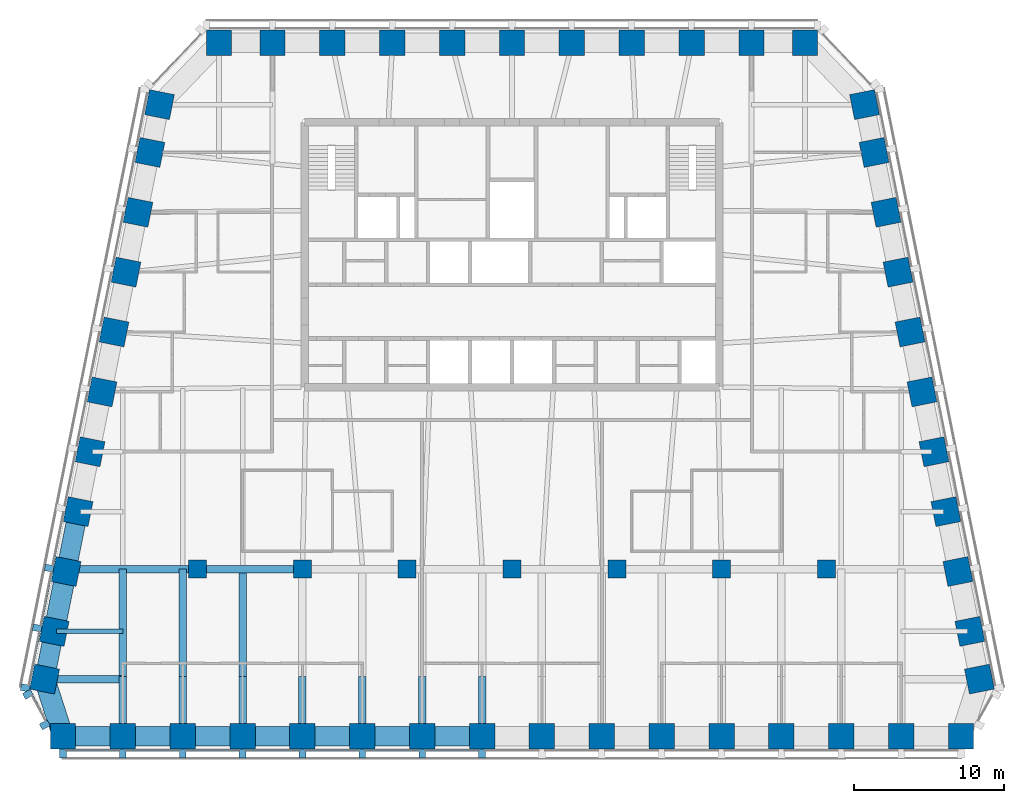
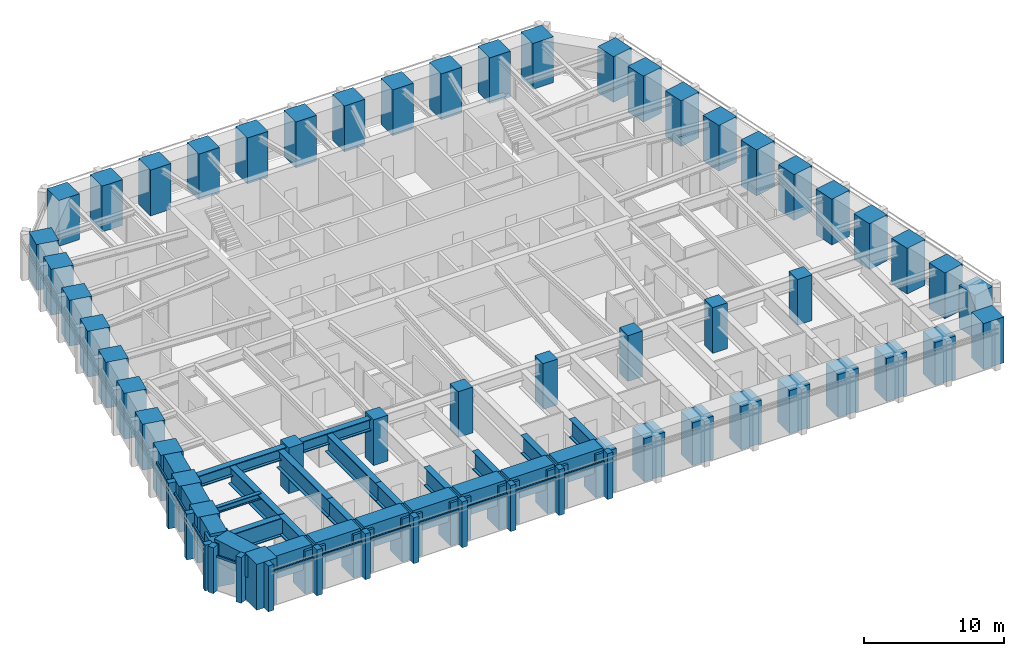
# One storey, part 1 of 12: 56 columns, 25 beams, 24 members, 3 elements without a shape of their own.
"""IFC4 building model written with IfcOpenShell, lengths in metres."""

from ifc_helpers import new_model, si_unit, direction, frame, origin, origin_2d, place, context, subcontext, project, spatial, rectangle, i_section, extrude, material, material_profile, profile_set, type_object, element, aggregate, save


model = new_model("IFC4")

# Units and contexts
model_context = context("Model", 3, precision=1e-05, world=origin(), true_north=direction((0.0, 1.0)))
body_context = subcontext(model_context, "Body", "Model", "MODEL_VIEW")
ifc_project = project(units=[si_unit("LENGTHUNIT", "METRE"), si_unit("AREAUNIT", "SQUARE_METRE"), si_unit("VOLUMEUNIT", "CUBIC_METRE"), si_unit("PLANEANGLEUNIT", "RADIAN"), si_unit("MASSUNIT", "GRAM", prefix="KILO")], contexts=[model_context])

# Site, building, storey
site_placement = place(None, origin())
site = spatial("IfcSite", under=ifc_project, at=site_placement, CompositionType="ELEMENT")
building_placement = place(site_placement, origin())
building = spatial("IfcBuilding", under=site, at=building_placement, Name="Isbrekke Arena Tower", CompositionType="ELEMENT")
storey_placement = place(building_placement, frame((0.0, 0.0, 256.0)))
storey = spatial("IfcBuildingStorey", under=building, at=storey_placement, Name="L59", CompositionType="ELEMENT", Elevation=256.0)

# Columns
ifc_material_1 = material(Name="Concrete B55 (C55/67)", Category="concrete")
ifc_material_profile_1 = material_profile(ifc_material_1, rectangle(XDim=1.199951171875, YDim=1.199951171875, at=origin_2d()), Name="RC 1200x1200")
ifc_profile_set_1 = profile_set([ifc_material_profile_1], Name="Concrete B55 (C55/67)")
column_type_1 = type_object("IfcColumnType", Name="C14 RC 1200 x 1200", PredefinedType="COLUMN", material=ifc_profile_set_1)
for number, where, z_axis, x_axis, name in (
    (1, (-21.0, -6.0, 0.0), (0.0, 0.0, 1.0), (1.0, 0.0, 0.0), "C14 I01"),
    (2, (-14.0, -6.0, 0.0), (0.0, 0.0, 1.0), (1.0, 0.0, 0.0), "C14 I02"),
    (3, (-7.0, -6.0, 0.0), (0.0, 0.0, 1.0), (1.0, 0.0, 0.0), "C14 I03"),
    (4, (0.0, -6.0, 0.0), (0.0, 0.0, 1.0), (1.0, 0.0, 0.0), "C14 I04"),
    (5, (7.0, -6.0, 0.0), (0.0, 0.0, 1.0), (1.0, 0.0, 0.0), "C14 I05"),
    (6, (14.0, -6.0, 0.0), (0.0, 0.0, 1.0), (1.0, 0.0, 0.0), "C14 I06"),
    (7, (21.0, -6.0, 0.0), (0.0, 0.0, 1.0), (1.0, 0.0, 0.0), "C14 I07"),
):
    element("IfcColumn", number, at=place(storey_placement, frame(where, z_axis=z_axis, x_axis=x_axis)), inside=storey, type_object=column_type_1, Name=name, PredefinedType="COLUMN", context=body_context, shape_type="SweptSolid", body=[
        extrude(rectangle(XDim=1.199951171875, YDim=1.199951171875, at=origin_2d()), origin(), (0.0, 0.0, 1.0), 4.0),
    ])
ifc_material_2 = material(Name="Concrete B55 (C55/67)", Category="concrete")
ifc_material_profile_2 = material_profile(ifc_material_2, rectangle(XDim=1.699951171875, YDim=1.699951171875, at=origin_2d()), Name="RC 1700x1700")
ifc_profile_set_2 = profile_set([ifc_material_profile_2], Name="Concrete B55 (C55/67)")
column_type_2 = type_object("IfcColumnType", Name="C5 RC 1700 x 1700", PredefinedType="COLUMN", material=ifc_profile_set_2)
column_1_placement = place(storey_placement, frame((-30.0, -17.175048828125, 0.0), z_axis=(0.0, 0.0, 1.0), x_axis=(1.0, 0.0, 0.0)))
element("IfcColumn", 8, at=column_1_placement, inside=storey, type_object=column_type_2, Name="C5 S01", PredefinedType="COLUMN", context=body_context, shape_type="SweptSolid", body=[
    extrude(rectangle(XDim=1.699951171875, YDim=1.699951171875, at=origin_2d()), origin(), (0.0, 0.0, 1.0), 4.0),
])
for number, where, z_axis, x_axis, name in (
    (9, (-26.0, -17.175048828125, 0.0), (0.0, 0.0, 1.0), (1.0, 0.0, 0.0), "C5 S02"),
    (10, (-22.0, -17.175048828125, 0.0), (0.0, 0.0, 1.0), (1.0, 0.0, 0.0), "C5 S03"),
    (11, (-18.0, -17.175048828125, 0.0), (0.0, 0.0, 1.0), (1.0, 0.0, 0.0), "C5 S04"),
    (12, (-14.0, -17.175048828125, 0.0), (0.0, 0.0, 1.0), (1.0, 0.0, 0.0), "C5 S05"),
    (13, (-10.0, -17.175048828125, 0.0), (0.0, 0.0, 1.0), (1.0, 0.0, 0.0), "C5 S06"),
    (14, (-6.0, -17.175048828125, 0.0), (0.0, 0.0, 1.0), (1.0, 0.0, 0.0), "C5 S07"),
    (15, (-2.0, -17.175048828125, 0.0), (0.0, 0.0, 1.0), (1.0, 0.0, 0.0), "C5 S08"),
    (16, (2.0, -17.175048828125, 0.0), (0.0, 0.0, 1.0), (1.0, 0.0, 0.0), "C5 S09"),
    (17, (6.0, -17.175048828125, 0.0), (0.0, 0.0, 1.0), (1.0, 0.0, 0.0), "C5 S10"),
    (18, (10.0, -17.175048828125, 0.0), (0.0, 0.0, 1.0), (1.0, 0.0, 0.0), "C5 S11"),
    (19, (14.0, -17.175048828125, 0.0), (0.0, 0.0, 1.0), (1.0, 0.0, 0.0), "C5 S12"),
    (20, (18.0, -17.175048828125, 0.0), (0.0, 0.0, 1.0), (1.0, 0.0, 0.0), "C5 S13"),
    (21, (22.0, -17.175048828125, 0.0), (0.0, 0.0, 1.0), (1.0, 0.0, 0.0), "C5 S14"),
    (22, (26.0, -17.175048828125, 0.0), (0.0, 0.0, 1.0), (1.0, 0.0, 0.0), "C5 S15"),
):
    element("IfcColumn", number, at=place(storey_placement, frame(where, z_axis=z_axis, x_axis=x_axis)), inside=storey, type_object=column_type_2, Name=name, PredefinedType="COLUMN", context=body_context, shape_type="SweptSolid", body=[
        extrude(rectangle(XDim=1.699951171875, YDim=1.699951171875, at=origin_2d()), origin(), (0.0, 0.0, 1.0), 3.75),
    ])
column_2_placement = place(storey_placement, frame((30.0, -17.175048828125, 0.0), z_axis=(0.0, 0.0, 1.0), x_axis=(1.0, 0.0, 0.0)))
element("IfcColumn", 23, at=column_2_placement, inside=storey, type_object=column_type_2, Name="C5 S16", PredefinedType="COLUMN", context=body_context, shape_type="SweptSolid", body=[
    extrude(rectangle(XDim=1.699951171875, YDim=1.699951171875, at=origin_2d()), origin(), (0.0, 0.0, 1.0), 4.0),
])
column_3_placement = place(storey_placement, frame((31.229248046875, -13.352783203125, 0.0), z_axis=(0.0, 0.0, 1.0), x_axis=(-0.196116135138, 0.980580675691, 0.0)))
element("IfcColumn", 24, at=column_3_placement, inside=storey, type_object=column_type_2, Name="C5 E01", PredefinedType="COLUMN", context=body_context, shape_type="SweptSolid", body=[
    extrude(rectangle(XDim=1.699951171875, YDim=1.699951171875, at=origin_2d()), origin(), (0.0, 0.0, 1.0), 3.75),
])
for number, where, z_axis, x_axis, name in (
    (25, (30.591064453125, -10.161865234375, 0.0), (0.0, 0.0, 1.0), (-0.196116135138, 0.980580675691, 0.0), "C5 E02"),
    (26, (29.791015625, -6.161865234375, 0.0), (0.0, 0.0, 1.0), (-0.196116135138, 0.980580675691, 0.0), "C5 E03"),
    (27, (28.990966796875, -2.161865234375, 0.0), (0.0, 0.0, 1.0), (-0.196116135138, 0.980580675691, 0.0), "C5 E04"),
    (28, (28.19091796875, 1.838134765625, 0.0), (0.0, 0.0, 1.0), (-0.196116135138, 0.980580675691, 0.0), "C5 E05"),
    (29, (27.39111328125, 5.838134765625, 0.0), (0.0, 0.0, 1.0), (-0.196116135138, 0.980580675691, 0.0), "C5 E06"),
    (30, (26.591064453125, 9.838134765625, 0.0), (0.0, 0.0, 1.0), (-0.196116135138, 0.980580675691, 0.0), "C5 E07"),
    (31, (25.791015625, 13.838134765625, 0.0), (0.0, 0.0, 1.0), (-0.196116135138, 0.980580675691, 0.0), "C5 E08"),
    (32, (24.990966796875, 17.838134765625, 0.0), (0.0, 0.0, 1.0), (-0.196116135138, 0.980580675691, 0.0), "C5 E09"),
    (33, (24.19091796875, 21.838134765625, 0.0), (0.0, 0.0, 1.0), (-0.196116135138, 0.980580675691, 0.0), "C5 E10"),
    (34, (23.552734375, 25.029296875, 0.0), (0.0, 0.0, 1.0), (-0.196116135138, 0.980580675691, 0.0), "C5 E11"),
    (35, (19.574951171875, 29.175048828125, 0.0), (0.0, 0.0, 1.0), (-1.0, 0.0, 0.0), "C5 N01"),
    (36, (16.0, 29.175048828125, 0.0), (0.0, 0.0, 1.0), (-1.0, 0.0, 0.0), "C5 N02"),
    (37, (12.0, 29.175048828125, 0.0), (0.0, 0.0, 1.0), (-1.0, 0.0, 0.0), "C5 N03"),
    (38, (8.0, 29.175048828125, 0.0), (0.0, 0.0, 1.0), (-1.0, 0.0, 0.0), "C5 N04"),
    (39, (4.0, 29.175048828125, 0.0), (0.0, 0.0, 1.0), (-1.0, 0.0, 0.0), "C5 N05"),
    (40, (0.0, 29.175048828125, 0.0), (0.0, 0.0, 1.0), (-1.0, 0.0, 0.0), "C5 N06"),
    (41, (-4.0, 29.175048828125, 0.0), (0.0, 0.0, 1.0), (-1.0, 0.0, 0.0), "C5 N07"),
    (42, (-8.0, 29.175048828125, 0.0), (0.0, 0.0, 1.0), (-1.0, 0.0, 0.0), "C5 N08"),
    (43, (-12.0, 29.175048828125, 0.0), (0.0, 0.0, 1.0), (-1.0, 0.0, 0.0), "C5 N09"),
    (44, (-16.0, 29.175048828125, 0.0), (0.0, 0.0, 1.0), (-1.0, 0.0, 0.0), "C5 N10"),
    (45, (-19.574951171875, 29.175048828125, 0.0), (0.0, 0.0, 1.0), (-1.0, 0.0, 0.0), "C5 N11"),
    (46, (-23.552734375, 25.029296875, 0.0), (0.0, 0.0, 1.0), (-0.196116135138, -0.980580675691, 0.0), "C5 W01"),
    (47, (-24.19091796875, 21.838134765625, 0.0), (0.0, 0.0, 1.0), (-0.196116135138, -0.980580675691, 0.0), "C5 W02"),
    (48, (-24.990966796875, 17.838134765625, 0.0), (0.0, 0.0, 1.0), (-0.196116135138, -0.980580675691, 0.0), "C5 W03"),
    (49, (-25.791015625, 13.838134765625, 0.0), (0.0, 0.0, 1.0), (-0.196116135138, -0.980580675691, 0.0), "C5 W04"),
    (50, (-26.591064453125, 9.838134765625, 0.0), (0.0, 0.0, 1.0), (-0.196116135138, -0.980580675691, 0.0), "C5 W05"),
    (51, (-27.39111328125, 5.838134765625, 0.0), (0.0, 0.0, 1.0), (-0.196116135138, -0.980580675691, 0.0), "C5 W06"),
    (52, (-28.19091796875, 1.838134765625, 0.0), (0.0, 0.0, 1.0), (-0.196116135138, -0.980580675691, 0.0), "C5 W07"),
    (53, (-28.990966796875, -2.161865234375, 0.0), (0.0, 0.0, 1.0), (-0.196116135138, -0.980580675691, 0.0), "C5 W08"),
    (54, (-29.791015625, -6.161865234375, 0.0), (0.0, 0.0, 1.0), (-0.196116135138, -0.980580675691, 0.0), "C5 W09"),
    (55, (-30.591064453125, -10.161865234375, 0.0), (0.0, 0.0, 1.0), (-0.196116135138, -0.980580675691, 0.0), "C5 W10"),
):
    element("IfcColumn", number, at=place(storey_placement, frame(where, z_axis=z_axis, x_axis=x_axis)), inside=storey, type_object=column_type_2, Name=name, PredefinedType="COLUMN", context=body_context, shape_type="SweptSolid", body=[
        extrude(rectangle(XDim=1.699951171875, YDim=1.699951171875, at=origin_2d()), origin(), (0.0, 0.0, 1.0), 4.0),
    ])
column_4_placement = place(storey_placement, frame((-31.229248046875, -13.352783203125, 0.0), z_axis=(0.0, 0.0, 1.0), x_axis=(-0.196116135138, -0.980580675691, 0.0)))
element("IfcColumn", 56, at=column_4_placement, inside=storey, type_object=column_type_2, Name="C5 W11", PredefinedType="COLUMN", context=body_context, shape_type="SweptSolid", body=[
    extrude(rectangle(XDim=1.699951171875, YDim=1.699951171875, at=origin_2d()), origin(), (0.0, 0.0, 1.0), 3.75),
])

# Beam
ifc_material_3 = material(Name="Steel S355", Category="steel")
ifc_material_profile_3 = material_profile(ifc_material_3, i_section(OverallWidth=0.305908203125, OverallDepth=0.52392578125, WebThickness=0.02099609375, FlangeThickness=0.0400390625, FilletRadius=0.027099609375, at=origin_2d()), Name="HEM 500")
ifc_profile_set_3 = profile_set([ifc_material_profile_3], Name="Steel S355")
beam_type_1 = type_object("IfcBeamType", Name="B5 HEM 500", PredefinedType="BEAM", material=ifc_profile_set_3)
beam_1_placement = place(storey_placement, frame((-30.44091796875, -10.161865234375, 3.587890625), z_axis=(1.0, 0.0, 0.0), x_axis=(0.0, 1.0, 0.0)))
element("IfcBeam", 57, at=beam_1_placement, inside=storey, type_object=beam_type_1, Name="B5 beam E-W10 L59", PredefinedType="BEAM", context=body_context, shape_type="SweptSolid", body=[
    extrude(i_section(OverallWidth=0.305908203125, OverallDepth=0.52392578125, WebThickness=0.02099609375, FlangeThickness=0.0400390625, FilletRadius=0.027099609375, at=origin_2d()), origin(), (0.0, 0.0, 1.0), 4.44091796875),
])

# Curtain wall, members
ifc_material_4 = material(Name="Glazed aluminium curtain wall", Category="aluminium")
curtain_wall_type = type_object("IfcCurtainWallType", Name="CWT TOWER CURTAIN WALL TOP ZONE", PredefinedType="USERDEFINED", material=ifc_material_4)
curtain_wall_1_placement = place(storey_placement, origin())
curtain_wall_1 = element("IfcCurtainWall", 58, at=curtain_wall_1_placement, inside=storey, type_object=curtain_wall_type, Name="CWT curtain wall L59-S", ObjectType="TOWER CURTAIN WALL TOP ZONE", PredefinedType="USERDEFINED")
ifc_material_5 = material(Name="Copper-clad aluminium mullion", Category="aluminium")
ifc_material_profile_4 = material_profile(ifc_material_5, rectangle(XDim=0.449951171875, YDim=0.60009765625, at=origin_2d()), Name="PIER 450X600")
ifc_profile_set_4 = profile_set([ifc_material_profile_4], Name="Copper-clad aluminium mullion")
member_type_1 = type_object("IfcMemberType", Name="CWT-M PIER MULLION 450 x 600", PredefinedType="MULLION", material=ifc_profile_set_4)
member_1_placement = place(storey_placement, frame((-30.0, -18.324951171875, 0.0), z_axis=(0.0, 0.0, 1.0), x_axis=(1.0, 0.0, 0.0)))
member_1 = element("IfcMember", 59, at=member_1_placement, type_object=member_type_1, Name="CWT-M mullion 1", PredefinedType="MULLION", context=body_context, shape_type="SweptSolid", body=[
    extrude(rectangle(XDim=0.449951171875, YDim=0.60009765625, at=origin_2d()), origin(), (0.0, 0.0, 1.0), 4.0),
])
member_2_placement = place(storey_placement, frame((-26.0, -18.324951171875, 0.0), z_axis=(0.0, 0.0, 1.0), x_axis=(1.0, 0.0, 0.0)))
member_2 = element("IfcMember", 60, at=member_2_placement, type_object=member_type_1, Name="CWT-M mullion 2", PredefinedType="MULLION", context=body_context, shape_type="SweptSolid", body=[
    extrude(rectangle(XDim=0.449951171875, YDim=0.60009765625, at=origin_2d()), origin(), (0.0, 0.0, 1.0), 4.0),
])
member_3_placement = place(storey_placement, frame((-22.0, -18.324951171875, 0.0), z_axis=(0.0, 0.0, 1.0), x_axis=(1.0, 0.0, 0.0)))
member_3 = element("IfcMember", 61, at=member_3_placement, type_object=member_type_1, Name="CWT-M mullion 3", PredefinedType="MULLION", context=body_context, shape_type="SweptSolid", body=[
    extrude(rectangle(XDim=0.449951171875, YDim=0.60009765625, at=origin_2d()), origin(), (0.0, 0.0, 1.0), 4.0),
])
member_4_placement = place(storey_placement, frame((-18.0, -18.324951171875, 0.0), z_axis=(0.0, 0.0, 1.0), x_axis=(1.0, 0.0, 0.0)))
member_4 = element("IfcMember", 62, at=member_4_placement, type_object=member_type_1, Name="CWT-M mullion 4", PredefinedType="MULLION", context=body_context, shape_type="SweptSolid", body=[
    extrude(rectangle(XDim=0.449951171875, YDim=0.60009765625, at=origin_2d()), origin(), (0.0, 0.0, 1.0), 4.0),
])
member_5_placement = place(storey_placement, frame((-14.0, -18.324951171875, 0.0), z_axis=(0.0, 0.0, 1.0), x_axis=(1.0, 0.0, 0.0)))
member_5 = element("IfcMember", 63, at=member_5_placement, type_object=member_type_1, Name="CWT-M mullion 5", PredefinedType="MULLION", context=body_context, shape_type="SweptSolid", body=[
    extrude(rectangle(XDim=0.449951171875, YDim=0.60009765625, at=origin_2d()), origin(), (0.0, 0.0, 1.0), 4.0),
])
member_6_placement = place(storey_placement, frame((-10.0, -18.324951171875, 0.0), z_axis=(0.0, 0.0, 1.0), x_axis=(1.0, 0.0, 0.0)))
member_6 = element("IfcMember", 64, at=member_6_placement, type_object=member_type_1, Name="CWT-M mullion 6", PredefinedType="MULLION", context=body_context, shape_type="SweptSolid", body=[
    extrude(rectangle(XDim=0.449951171875, YDim=0.60009765625, at=origin_2d()), origin(), (0.0, 0.0, 1.0), 4.0),
])
member_7_placement = place(storey_placement, frame((-6.0, -18.324951171875, 0.0), z_axis=(0.0, 0.0, 1.0), x_axis=(1.0, 0.0, 0.0)))
member_7 = element("IfcMember", 65, at=member_7_placement, type_object=member_type_1, Name="CWT-M mullion 7", PredefinedType="MULLION", context=body_context, shape_type="SweptSolid", body=[
    extrude(rectangle(XDim=0.449951171875, YDim=0.60009765625, at=origin_2d()), origin(), (0.0, 0.0, 1.0), 4.0),
])
member_8_placement = place(storey_placement, frame((-2.0, -18.324951171875, 0.0), z_axis=(0.0, 0.0, 1.0), x_axis=(1.0, 0.0, 0.0)))
member_8 = element("IfcMember", 66, at=member_8_placement, type_object=member_type_1, Name="CWT-M mullion 8", PredefinedType="MULLION", context=body_context, shape_type="SweptSolid", body=[
    extrude(rectangle(XDim=0.449951171875, YDim=0.60009765625, at=origin_2d()), origin(), (0.0, 0.0, 1.0), 4.0),
])

curtain_wall_2_placement = place(storey_placement, origin())
curtain_wall_2 = element("IfcCurtainWall", 67, at=curtain_wall_2_placement, inside=storey, type_object=curtain_wall_type, Name="CWT curtain wall L59-W", ObjectType="TOWER CURTAIN WALL TOP ZONE", PredefinedType="USERDEFINED")
member_9_placement = place(storey_placement, frame((-30.918701171875, -5.936279296875, 0.0), z_axis=(0.0, 0.0, 1.0), x_axis=(-0.196116135138, -0.980580675691, 0.0)))
member_9 = element("IfcMember", 68, at=member_9_placement, type_object=member_type_1, Name="CWT-M mullion 9", PredefinedType="MULLION", context=body_context, shape_type="SweptSolid", body=[
    extrude(rectangle(XDim=0.449951171875, YDim=0.60009765625, at=origin_2d()), origin(), (0.0, 0.0, 1.0), 4.0),
])
member_10_placement = place(storey_placement, frame((-31.71875, -9.936279296875, 0.0), z_axis=(0.0, 0.0, 1.0), x_axis=(-0.196116135138, -0.980580675691, 0.0)))
member_10 = element("IfcMember", 69, at=member_10_placement, type_object=member_type_1, Name="CWT-M mullion 10", PredefinedType="MULLION", context=body_context, shape_type="SweptSolid", body=[
    extrude(rectangle(XDim=0.449951171875, YDim=0.60009765625, at=origin_2d()), origin(), (0.0, 0.0, 1.0), 4.0),
])
member_11_placement = place(storey_placement, frame((-32.518798828125, -13.936279296875, 0.0), z_axis=(0.0, 0.0, 1.0), x_axis=(-0.196116135138, -0.980580675691, 0.0)))
member_11 = element("IfcMember", 70, at=member_11_placement, type_object=member_type_1, Name="CWT-M mullion 11", PredefinedType="MULLION", context=body_context, shape_type="SweptSolid", body=[
    extrude(rectangle(XDim=0.449951171875, YDim=0.60009765625, at=origin_2d()), origin(), (0.0, 0.0, 1.0), 4.0),
])

curtain_wall_3_placement = place(storey_placement, origin())
curtain_wall_3 = element("IfcCurtainWall", 71, at=curtain_wall_3_placement, inside=storey, type_object=curtain_wall_type, Name="CWT curtain wall L59-WS", ObjectType="TOWER CURTAIN WALL TOP ZONE", PredefinedType="USERDEFINED")
member_12_placement = place(storey_placement, frame((-32.34033203125, -14.367431640625, 0.0), z_axis=(0.0, 0.0, 1.0), x_axis=(0.481918749773, -0.876215908676, 0.0)))
member_12 = element("IfcMember", 72, at=member_12_placement, type_object=member_type_1, Name="CWT-M mullion 1", PredefinedType="MULLION", context=body_context, shape_type="SweptSolid", body=[
    extrude(rectangle(XDim=0.449951171875, YDim=0.60009765625, at=origin_2d()), origin(), (0.0, 0.0, 1.0), 4.0),
])
member_13_placement = place(storey_placement, frame((-31.21826171875, -16.407470703125, 0.0), z_axis=(0.0, 0.0, 1.0), x_axis=(0.481918749773, -0.876215908676, 0.0)))
member_13 = element("IfcMember", 73, at=member_13_placement, type_object=member_type_1, Name="CWT-M mullion 2", PredefinedType="MULLION", context=body_context, shape_type="SweptSolid", body=[
    extrude(rectangle(XDim=0.449951171875, YDim=0.60009765625, at=origin_2d()), origin(), (0.0, 0.0, 1.0), 4.0),
])

# Member
ifc_material_6 = material(Name="Aluminium transom", Category="aluminium")
ifc_material_profile_5 = material_profile(ifc_material_6, rectangle(XDim=0.1201171875, YDim=0.199951171875, at=origin_2d()), Name="TRANSOM 120X200")
ifc_profile_set_5 = profile_set([ifc_material_profile_5], Name="Aluminium transom")
member_type_2 = type_object("IfcMemberType", Name="CWT-T TRANSOM 120 x 200", PredefinedType="USERDEFINED", material=ifc_profile_set_5)
member_14_placement = place(storey_placement, frame((-29.77490234375, -18.125, 3.0), z_axis=(1.0, 0.0, 0.0), x_axis=(0.0, 1.0, 0.0)))
member_14 = element("IfcMember", 74, at=member_14_placement, type_object=member_type_2, Name="CWT-T transom 1", ObjectType="TRANSOM", PredefinedType="USERDEFINED", context=body_context, shape_type="SweptSolid", body=[
    extrude(rectangle(XDim=0.1201171875, YDim=0.199951171875, at=origin_2d()), origin(), (0.0, 0.0, 1.0), 3.5498046875),
])

member_15_placement = place(storey_placement, frame((-25.77490234375, -18.125, 3.0), z_axis=(1.0, 0.0, 0.0), x_axis=(0.0, 1.0, 0.0)))
member_15 = element("IfcMember", 75, at=member_15_placement, type_object=member_type_2, Name="CWT-T transom 2", ObjectType="TRANSOM", PredefinedType="USERDEFINED", context=body_context, shape_type="SweptSolid", body=[
    extrude(rectangle(XDim=0.1201171875, YDim=0.199951171875, at=origin_2d()), origin(), (0.0, 0.0, 1.0), 3.5498046875),
])

member_16_placement = place(storey_placement, frame((-21.77490234375, -18.125, 3.0), z_axis=(1.0, 0.0, 0.0), x_axis=(0.0, 1.0, 0.0)))
member_16 = element("IfcMember", 76, at=member_16_placement, type_object=member_type_2, Name="CWT-T transom 3", ObjectType="TRANSOM", PredefinedType="USERDEFINED", context=body_context, shape_type="SweptSolid", body=[
    extrude(rectangle(XDim=0.1201171875, YDim=0.199951171875, at=origin_2d()), origin(), (0.0, 0.0, 1.0), 3.5498046875),
])

member_17_placement = place(storey_placement, frame((-17.77490234375, -18.125, 3.0), z_axis=(1.0, 0.0, 0.0), x_axis=(0.0, 1.0, 0.0)))
member_17 = element("IfcMember", 77, at=member_17_placement, type_object=member_type_2, Name="CWT-T transom 4", ObjectType="TRANSOM", PredefinedType="USERDEFINED", context=body_context, shape_type="SweptSolid", body=[
    extrude(rectangle(XDim=0.1201171875, YDim=0.199951171875, at=origin_2d()), origin(), (0.0, 0.0, 1.0), 3.5498046875),
])

member_18_placement = place(storey_placement, frame((-13.77490234375, -18.125, 3.0), z_axis=(1.0, 0.0, 0.0), x_axis=(0.0, 1.0, 0.0)))
member_18 = element("IfcMember", 78, at=member_18_placement, type_object=member_type_2, Name="CWT-T transom 5", ObjectType="TRANSOM", PredefinedType="USERDEFINED", context=body_context, shape_type="SweptSolid", body=[
    extrude(rectangle(XDim=0.1201171875, YDim=0.199951171875, at=origin_2d()), origin(), (0.0, 0.0, 1.0), 3.5498046875),
])

member_19_placement = place(storey_placement, frame((-9.77490234375, -18.125, 3.0), z_axis=(1.0, 0.0, 0.0), x_axis=(0.0, 1.0, 0.0)))
member_19 = element("IfcMember", 79, at=member_19_placement, type_object=member_type_2, Name="CWT-T transom 6", ObjectType="TRANSOM", PredefinedType="USERDEFINED", context=body_context, shape_type="SweptSolid", body=[
    extrude(rectangle(XDim=0.1201171875, YDim=0.199951171875, at=origin_2d()), origin(), (0.0, 0.0, 1.0), 3.5498046875),
])

member_20_placement = place(storey_placement, frame((-5.77490234375, -18.125, 3.0), z_axis=(1.0, 0.0, 0.0), x_axis=(0.0, 1.0, 0.0)))
member_20 = element("IfcMember", 80, at=member_20_placement, type_object=member_type_2, Name="CWT-T transom 7", ObjectType="TRANSOM", PredefinedType="USERDEFINED", context=body_context, shape_type="SweptSolid", body=[
    extrude(rectangle(XDim=0.1201171875, YDim=0.199951171875, at=origin_2d()), origin(), (0.0, 0.0, 1.0), 3.5498046875),
])

aggregate(curtain_wall_1, [member_1, member_2, member_3, member_4, member_5, member_6, member_7, member_8, member_14, member_15, member_16, member_17, member_18, member_19, member_20])

member_21_placement = place(storey_placement, frame((-29.966796875, -2.196044921875, 3.0), z_axis=(-0.196090262229, -0.980585849918, 0.0), x_axis=(0.980585849918, -0.196090262229, 0.0)))
member_21 = element("IfcMember", 81, at=member_21_placement, type_object=member_type_2, Name="CWT-T transom 8", ObjectType="TRANSOM", PredefinedType="USERDEFINED", context=body_context, shape_type="SweptSolid", body=[
    extrude(rectangle(XDim=0.1201171875, YDim=0.199951171875, at=origin_2d()), origin(), (0.0, 0.0, 1.0), 3.62939453125),
])

member_22_placement = place(storey_placement, frame((-30.7666015625, -6.196044921875, 3.0), z_axis=(-0.196154943734, -0.980572913173, 0.0), x_axis=(0.980572913173, -0.196154943734, 0.0)))
member_22 = element("IfcMember", 82, at=member_22_placement, type_object=member_type_2, Name="CWT-T transom 9", ObjectType="TRANSOM", PredefinedType="USERDEFINED", context=body_context, shape_type="SweptSolid", body=[
    extrude(rectangle(XDim=0.1201171875, YDim=0.199951171875, at=origin_2d()), origin(), (0.0, 0.0, 1.0), 3.62939453125),
])

member_23_placement = place(storey_placement, frame((-31.566650390625, -10.196044921875, 3.0), z_axis=(-0.196154943734, -0.980572913173, 0.0), x_axis=(0.980572913173, -0.196154943734, 0.0)))
member_23 = element("IfcMember", 83, at=member_23_placement, type_object=member_type_2, Name="CWT-T transom 10", ObjectType="TRANSOM", PredefinedType="USERDEFINED", context=body_context, shape_type="SweptSolid", body=[
    extrude(rectangle(XDim=0.1201171875, YDim=0.199951171875, at=origin_2d()), origin(), (0.0, 0.0, 1.0), 3.62939453125),
])

aggregate(curtain_wall_2, [member_9, member_10, member_11, member_21, member_22, member_23])

member_24_placement = place(storey_placement, frame((-32.056640625, -14.46826171875, 3.0), z_axis=(0.481918749772, -0.876215908677, 0.0), x_axis=(0.876215908677, 0.481918749772, 0.0)))
member_24 = element("IfcMember", 84, at=member_24_placement, type_object=member_type_2, Name="CWT-T transom 1", ObjectType="TRANSOM", PredefinedType="USERDEFINED", context=body_context, shape_type="SweptSolid", body=[
    extrude(rectangle(XDim=0.1201171875, YDim=0.199951171875, at=origin_2d()), origin(), (0.0, 0.0, 1.0), 1.8779296875),
])

aggregate(curtain_wall_3, [member_12, member_13, member_24])

# Beams
ifc_material_7 = material(Name="Steel S355", Category="steel")
ifc_material_profile_6 = material_profile(ifc_material_7, i_section(OverallWidth=0.5, OverallDepth=1.0, WebThickness=0.0400390625, FlangeThickness=0.06005859375, at=origin_2d()), Name="PG 1000x500")
ifc_profile_set_6 = profile_set([ifc_material_profile_6], Name="Steel S355")
beam_type_2 = type_object("IfcBeamType", Name="G4 PG 1000x500", PredefinedType="BEAM", material=ifc_profile_set_6)
beam_2_placement = place(storey_placement, frame((-29.791015625, -6.0, 3.35009765625), z_axis=(1.0, 0.0, 0.0), x_axis=(0.0, 1.0, 0.0)))
element("IfcBeam", 85, at=beam_2_placement, inside=storey, type_object=beam_type_2, Name="G4 beam G1-01 L59", PredefinedType="BEAM", context=body_context, shape_type="SweptSolid", body=[
    extrude(i_section(OverallWidth=0.5, OverallDepth=1.0, WebThickness=0.0400390625, FlangeThickness=0.06005859375, at=origin_2d()), origin(), (0.0, 0.0, 1.0), 8.64111328125),
])
beam_3_placement = place(storey_placement, frame((-20.85009765625, -6.0, 3.35009765625), z_axis=(1.0, 0.0, 0.0), x_axis=(0.0, 1.0, 0.0)))
element("IfcBeam", 86, at=beam_3_placement, inside=storey, type_object=beam_type_2, Name="G4 beam G1-02 L59", PredefinedType="BEAM", context=body_context, shape_type="SweptSolid", body=[
    extrude(i_section(OverallWidth=0.5, OverallDepth=1.0, WebThickness=0.0400390625, FlangeThickness=0.06005859375, at=origin_2d()), origin(), (0.0, 0.0, 1.0), 6.7001953125),
])
ifc_material_8 = material(Name="Concrete B55 (C55/67)", Category="concrete")
ifc_material_profile_7 = material_profile(ifc_material_8, rectangle(XDim=1.300048828125, YDim=2.0, at=origin_2d()), Name="RC 1300x2000")
ifc_profile_set_7 = profile_set([ifc_material_profile_7], Name="Concrete B55 (C55/67)")
beam_type_3 = type_object("IfcBeamType", Name="SB4 RC 1300 x 2000", PredefinedType="SPANDREL", material=ifc_profile_set_7)
for number, where, z_axis, x_axis, name in (
    (87, (-29.85009765625, -17.175048828125, 3.0), (1.0, 0.0, 0.0), (0.0, 1.0, 0.0), "SB4 spandrel S01-S02 L59"),
    (88, (-25.85009765625, -17.175048828125, 3.0), (1.0, 0.0, 0.0), (0.0, 1.0, 0.0), "SB4 spandrel S02-S03 L59"),
    (89, (-21.85009765625, -17.175048828125, 3.0), (1.0, 0.0, 0.0), (0.0, 1.0, 0.0), "SB4 spandrel S03-S04 L59"),
    (90, (-17.85009765625, -17.175048828125, 3.0), (1.0, 0.0, 0.0), (0.0, 1.0, 0.0), "SB4 spandrel S04-S05 L59"),
    (91, (-13.85009765625, -17.175048828125, 3.0), (1.0, 0.0, 0.0), (0.0, 1.0, 0.0), "SB4 spandrel S05-S06 L59"),
    (92, (-9.85009765625, -17.175048828125, 3.0), (1.0, 0.0, 0.0), (0.0, 1.0, 0.0), "SB4 spandrel S06-S07 L59"),
    (93, (-5.85009765625, -17.175048828125, 3.0), (1.0, 0.0, 0.0), (0.0, 1.0, 0.0), "SB4 spandrel S07-S08 L59"),
):
    element("IfcBeam", number, at=place(storey_placement, frame(where, z_axis=z_axis, x_axis=x_axis)), inside=storey, type_object=beam_type_3, Name=name, PredefinedType="SPANDREL", context=body_context, shape_type="SweptSolid", body=[
        extrude(rectangle(XDim=1.300048828125, YDim=2.0, at=origin_2d()), origin(), (0.0, 0.0, 1.0), 3.7001953125),
    ])
beam_4_placement = place(storey_placement, frame((-29.0205078125, -2.308837890625, 3.0), z_axis=(-0.196128558387, -0.980578190959, 0.0), x_axis=(0.980578190959, -0.196128558387, 0.0)))
element("IfcBeam", 94, at=beam_4_placement, inside=storey, type_object=beam_type_3, Name="SB4 spandrel W08-W09 L59", PredefinedType="SPANDREL", context=body_context, shape_type="SweptSolid", body=[
    extrude(rectangle(XDim=1.300048828125, YDim=2.0, at=origin_2d()), origin(), (0.0, 0.0, 1.0), 3.779296875),
])
beam_5_placement = place(storey_placement, frame((-30.42919921875, -9.352783203125, 3.0), z_axis=(-0.196092237713, -0.980585454873, 0.0), x_axis=(0.980585454873, -0.196092237713, 0.0)))
element("IfcBeam", 95, at=beam_5_placement, inside=storey, type_object=beam_type_3, Name="SB4 spandrel W10-W11 L59", PredefinedType="SPANDREL", context=body_context, shape_type="SweptSolid", body=[
    extrude(rectangle(XDim=1.300048828125, YDim=2.0, at=origin_2d()), origin(), (0.0, 0.0, 1.0), 3.92919921875),
])
ifc_material_9 = material(Name="Concrete B55 (C55/67)", Category="concrete")
ifc_material_profile_8 = material_profile(ifc_material_9, rectangle(XDim=1.39990234375, YDim=1.89990234375, at=origin_2d()), Name="RC 1400 x 1900")
ifc_profile_set_8 = profile_set([ifc_material_profile_8], Name="Concrete B55 (C55/67)")
beam_type_4 = type_object("IfcBeamType", Name="SB5 RC 1400  x  1900", PredefinedType="SPANDREL", material=ifc_profile_set_8)
beam_6_placement = place(storey_placement, frame((-29.820556640625, -6.308837890625, 3.050048828125), z_axis=(-0.196070760782, -0.98058974947, 0.0), x_axis=(0.98058974947, -0.196070760782, 0.0)))
element("IfcBeam", 96, at=beam_6_placement, inside=storey, type_object=beam_type_4, Name="SB5 spandrel W09-W10 L59", PredefinedType="SPANDREL", context=body_context, shape_type="SweptSolid", body=[
    extrude(rectangle(XDim=1.39990234375, YDim=1.89990234375, at=origin_2d()), origin(), (0.0, 0.0, 1.0), 3.104248046875),
])
beam_7_placement = place(storey_placement, frame((-31.183349609375, -13.49560546875, 3.050048828125), z_axis=(0.306175101476, -0.951975213562, 0.0), x_axis=(0.951975213562, 0.306175101476, 0.0)))
element("IfcBeam", 97, at=beam_7_placement, inside=storey, type_object=beam_type_4, Name="SB5 spandrel W11-S01 L59", PredefinedType="SPANDREL", context=body_context, shape_type="SweptSolid", body=[
    extrude(rectangle(XDim=1.39990234375, YDim=1.89990234375, at=origin_2d()), origin(), (0.0, 0.0, 1.0), 3.715087890625),
])
ifc_material_10 = material(Name="Steel S355", Category="steel")
ifc_material_profile_9 = material_profile(ifc_material_10, i_section(OverallWidth=0.5, OverallDepth=1.60009765625, WebThickness=0.030029296875, FlangeThickness=0.06005859375, at=origin_2d()), Name="PG 1600x500")
ifc_profile_set_9 = profile_set([ifc_material_profile_9], Name="Steel S355")
beam_type_5 = type_object("IfcBeamType", Name="TG1 PG 1600x500", PredefinedType="BEAM", material=ifc_profile_set_9)
beam_8_placement = place(storey_placement, frame((-26.0, -17.02490234375, 2.949951171875), z_axis=(0.0, 1.0, 0.0), x_axis=(-1.0, 0.0, 0.0)))
element("IfcBeam", 98, at=beam_8_placement, inside=storey, type_object=beam_type_5, Name="TG1 transfer girder S-S02 L59 part 1", PredefinedType="BEAM", context=body_context, shape_type="SweptSolid", body=[
    extrude(i_section(OverallWidth=0.5, OverallDepth=1.60009765625, WebThickness=0.030029296875, FlangeThickness=0.06005859375, at=origin_2d()), origin(), (0.0, 0.0, 1.0), 3.849853515625),
])
beam_9_placement = place(storey_placement, frame((-26.0, -13.175048828125, 2.949951171875), z_axis=(0.0, 1.0, 0.0), x_axis=(-1.0, 0.0, 0.0)))
element("IfcBeam", 99, at=beam_9_placement, inside=storey, type_object=beam_type_5, Name="TG1 transfer girder S-S02 L59 part 2", PredefinedType="BEAM", context=body_context, shape_type="SweptSolid", body=[
    extrude(i_section(OverallWidth=0.5, OverallDepth=1.60009765625, WebThickness=0.030029296875, FlangeThickness=0.06005859375, at=origin_2d()), origin(), (0.0, 0.0, 1.0), 7.175048828125),
])
beam_10_placement = place(storey_placement, frame((-22.0, -17.02490234375, 2.949951171875), z_axis=(0.0, 1.0, 0.0), x_axis=(-1.0, 0.0, 0.0)))
element("IfcBeam", 100, at=beam_10_placement, inside=storey, type_object=beam_type_5, Name="TG1 transfer girder S-S03 L59 part 1", PredefinedType="BEAM", context=body_context, shape_type="SweptSolid", body=[
    extrude(i_section(OverallWidth=0.5, OverallDepth=1.60009765625, WebThickness=0.030029296875, FlangeThickness=0.06005859375, at=origin_2d()), origin(), (0.0, 0.0, 1.0), 3.849853515625),
])
beam_11_placement = place(storey_placement, frame((-22.0, -13.175048828125, 2.949951171875), z_axis=(0.0, 1.0, 0.0), x_axis=(-1.0, 0.0, 0.0)))
element("IfcBeam", 101, at=beam_11_placement, inside=storey, type_object=beam_type_5, Name="TG1 transfer girder S-S03 L59 part 2", PredefinedType="BEAM", context=body_context, shape_type="SweptSolid", body=[
    extrude(i_section(OverallWidth=0.5, OverallDepth=1.60009765625, WebThickness=0.030029296875, FlangeThickness=0.06005859375, at=origin_2d()), origin(), (0.0, 0.0, 1.0), 7.175048828125),
])
beam_12_placement = place(storey_placement, frame((-18.0, -17.02490234375, 2.949951171875), z_axis=(0.0, 1.0, 0.0), x_axis=(-1.0, 0.0, 0.0)))
element("IfcBeam", 102, at=beam_12_placement, inside=storey, type_object=beam_type_5, Name="TG1 transfer girder S-S04 L59 part 1", PredefinedType="BEAM", context=body_context, shape_type="SweptSolid", body=[
    extrude(i_section(OverallWidth=0.5, OverallDepth=1.60009765625, WebThickness=0.030029296875, FlangeThickness=0.06005859375, at=origin_2d()), origin(), (0.0, 0.0, 1.0), 3.849853515625),
])
beam_13_placement = place(storey_placement, frame((-18.0, -13.175048828125, 2.949951171875), z_axis=(0.0, 1.0, 0.0), x_axis=(-1.0, 0.0, 0.0)))
element("IfcBeam", 103, at=beam_13_placement, inside=storey, type_object=beam_type_5, Name="TG1 transfer girder S-S04 L59 part 2", PredefinedType="BEAM", context=body_context, shape_type="SweptSolid", body=[
    extrude(i_section(OverallWidth=0.5, OverallDepth=1.60009765625, WebThickness=0.030029296875, FlangeThickness=0.06005859375, at=origin_2d()), origin(), (0.0, 0.0, 1.0), 7.175048828125),
])
for number, where, z_axis, x_axis, name in (
    (104, (-14.0, -17.02490234375, 2.949951171875), (0.0, 1.0, 0.0), (-1.0, 0.0, 0.0), "TG1 transfer girder S-S05 L59 part 1"),
    (105, (-10.0, -17.02490234375, 2.949951171875), (0.0, 1.0, 0.0), (-1.0, 0.0, 0.0), "TG1 transfer girder S-S06 L59 part 1"),
    (106, (-6.0, -17.02490234375, 2.949951171875), (0.0, 1.0, 0.0), (-1.0, 0.0, 0.0), "TG1 transfer girder S-S07 L59 part 1"),
    (107, (-2.0, -17.02490234375, 2.949951171875), (0.0, 1.0, 0.0), (-1.0, 0.0, 0.0), "TG1 transfer girder S-S08 L59 part 1"),
):
    element("IfcBeam", number, at=place(storey_placement, frame(where, z_axis=z_axis, x_axis=x_axis)), inside=storey, type_object=beam_type_5, Name=name, PredefinedType="BEAM", context=body_context, shape_type="SweptSolid", body=[
        extrude(i_section(OverallWidth=0.5, OverallDepth=1.60009765625, WebThickness=0.030029296875, FlangeThickness=0.06005859375, at=origin_2d()), origin(), (0.0, 0.0, 1.0), 3.849853515625),
    ])
beam_14_placement = place(storey_placement, frame((-31.079345703125, -13.352783203125, 2.949951171875), z_axis=(1.0, 0.0, 0.0), x_axis=(0.0, 1.0, 0.0)))
element("IfcBeam", 108, at=beam_14_placement, inside=storey, type_object=beam_type_5, Name="TG1 transfer girder E-W11 L59", PredefinedType="BEAM", context=body_context, shape_type="SweptSolid", body=[
    extrude(i_section(OverallWidth=0.5, OverallDepth=1.60009765625, WebThickness=0.030029296875, FlangeThickness=0.06005859375, at=origin_2d()), origin(), (0.0, 0.0, 1.0), 5.079345703125),
])

save(model, "model.ifc")
